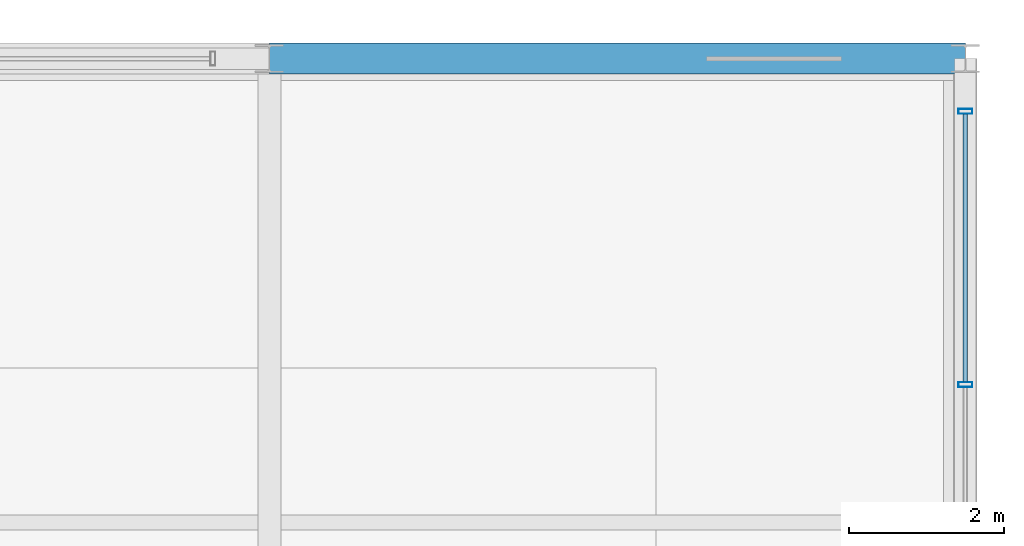
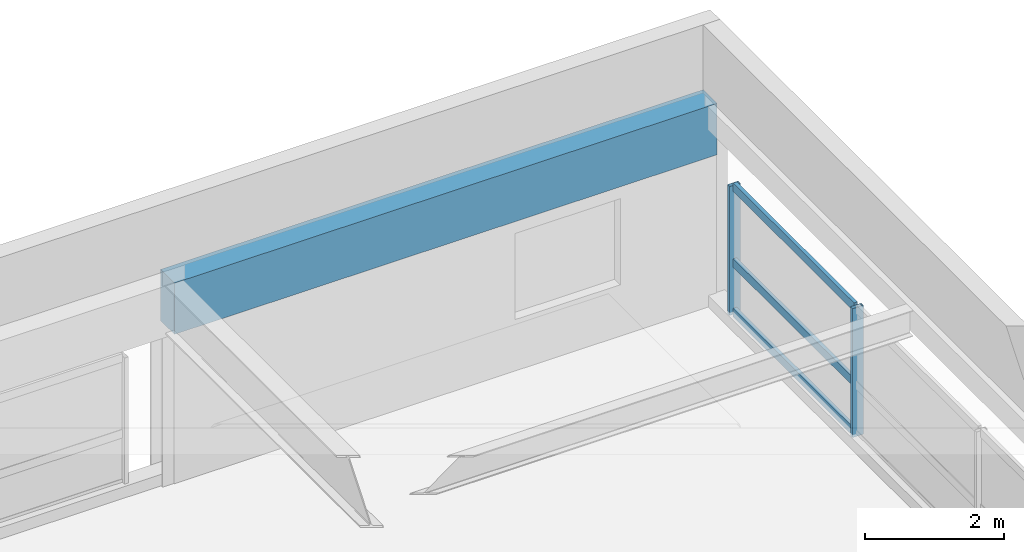
# One storey, part 84 of 108: 5 members, 1 beam, 1 element without a shape of its own.
"""IFC4 building model written with IfcOpenShell, lengths in metres."""

from ifc_helpers import new_model, si_unit, direction, frame, origin, origin_2d, place, context, subcontext, project, spatial, rectangle, hollow_rectangle, extrude, material, material_profile, profile_set, type_object, element, aggregate, save


model = new_model("IFC4")

# Units and contexts
model_context = context("Model", 3, precision=1e-05, world=origin(), true_north=direction((0.0, 1.0)))
body_context = subcontext(model_context, "Body", "Model", "MODEL_VIEW")
ifc_project = project(units=[si_unit("LENGTHUNIT", "METRE"), si_unit("AREAUNIT", "SQUARE_METRE"), si_unit("VOLUMEUNIT", "CUBIC_METRE"), si_unit("PLANEANGLEUNIT", "RADIAN"), si_unit("MASSUNIT", "GRAM", prefix="KILO")], contexts=[model_context])

# Site, building, storey
site_placement = place(None, origin())
site = spatial("IfcSite", under=ifc_project, at=site_placement, CompositionType="ELEMENT")
building_placement = place(site_placement, origin())
building = spatial("IfcBuilding", under=site, at=building_placement, Name="Kaldorvane Square Convention Centre", CompositionType="ELEMENT")
storey_placement = place(building_placement, frame((0.0, 0.0, 23.399993896484375)))
storey = spatial("IfcBuildingStorey", under=building, at=storey_placement, Name="L04", CompositionType="ELEMENT", Elevation=23.399993896484375)

# Beam
ifc_material_1 = material(Name="Concrete f'c = 42 MPa (Normalweight)", Category="concrete")
ifc_material_profile_1 = material_profile(ifc_material_1, rectangle(XDim=0.399993896484375, YDim=0.899993896484375, at=origin_2d()), Name="RCSP900X400")
ifc_profile_set_1 = profile_set([ifc_material_profile_1], Name="Concrete f'c = 42 MPa (Normalweight)")
beam_type = type_object("IfcBeamType", Name="BM-SP-RC900", PredefinedType="SPANDREL", material=ifc_profile_set_1)
beam_placement = place(storey_placement, frame((165.0, 117.0, 3.0760040283203125), z_axis=(1.0, 0.0, 0.0), x_axis=(0.0, 1.0, 0.0)))
element("IfcBeam", 1, at=beam_placement, inside=storey, type_object=beam_type, Name="Perimeter Spandrel (L04)", PredefinedType="SPANDREL", context=body_context, shape_type="SweptSolid", body=[
    extrude(rectangle(XDim=0.399993896484375, YDim=0.899993896484375, at=origin_2d()), origin(), (0.0, 0.0, 1.0), 9.0),
])

# Curtain wall, members
ifc_material_2 = material(Name="Anodized Aluminum and Low-E Insulated Glazing", Category="aluminium")
curtain_wall_type = type_object("IfcCurtainWallType", Name="CW-UNI-P42-09", PredefinedType="USERDEFINED", material=ifc_material_2)
curtain_wall_placement = place(storey_placement, origin())
curtain_wall = element("IfcCurtainWall", 2, at=curtain_wall_placement, inside=storey, type_object=curtain_wall_type, Name="Curtain Wall CW-06 (L04)", ObjectType="UNITISED GLAZING", PredefinedType="USERDEFINED")
ifc_material_profile_2 = material_profile(ifc_material_2, hollow_rectangle(XDim=0.06500244140625, YDim=0.17999267578125, WallThickness=0.0034942626953125, at=origin_2d()), Name="CWM-180X65")
ifc_profile_set_2 = profile_set([ifc_material_profile_2], Name="Anodized Aluminum and Low-E Insulated Glazing")
member_type_1 = type_object("IfcMemberType", Name="CW-MUL-180", PredefinedType="MULLION", material=ifc_profile_set_2)
member_1_placement = place(storey_placement, frame((174.0, 112.78334045410156, 0.1500091552734375), z_axis=(0.0, 0.0, 1.0), x_axis=(0.0, 1.0, 0.0)))
member_1 = element("IfcMember", 3, at=member_1_placement, type_object=member_type_1, Name="CW-06 mullion 3", PredefinedType="MULLION", context=body_context, shape_type="SweptSolid", body=[
    extrude(hollow_rectangle(XDim=0.06500244140625, YDim=0.17999267578125, WallThickness=0.0034942626953125, at=origin_2d()), origin(), (0.0, 0.0, 1.0), 2.2599945068359375),
])
member_2_placement = place(storey_placement, frame((174.0, 116.3175048828125, 0.1500091552734375), z_axis=(0.0, 0.0, 1.0), x_axis=(0.0, 1.0, 0.0)))
member_2 = element("IfcMember", 4, at=member_2_placement, type_object=member_type_1, Name="CW-06 mullion 4", PredefinedType="MULLION", context=body_context, shape_type="SweptSolid", body=[
    extrude(hollow_rectangle(XDim=0.06500244140625, YDim=0.17999267578125, WallThickness=0.0034942626953125, at=origin_2d()), origin(), (0.0, 0.0, 1.0), 2.2599945068359375),
])
ifc_material_profile_3 = material_profile(ifc_material_2, hollow_rectangle(XDim=0.05999755859375, YDim=0.149993896484375, WallThickness=0.003204345703125, at=origin_2d()), Name="CWT-150X60")
ifc_profile_set_3 = profile_set([ifc_material_profile_3], Name="Anodized Aluminum and Low-E Insulated Glazing")
member_type_2 = type_object("IfcMemberType", Name="CW-TRN-150", PredefinedType="USERDEFINED", material=ifc_profile_set_3)
member_3_placement = place(storey_placement, frame((174.0, 112.81582641601562, 0.1800079345703125), z_axis=(0.0, 1.0, 0.0), x_axis=(-1.0, 0.0, 0.0)))
member_3 = element("IfcMember", 5, at=member_3_placement, type_object=member_type_2, Name="CW-06 transom 3.1", ObjectType="TRANSOM", PredefinedType="USERDEFINED", context=body_context, shape_type="SweptSolid", body=[
    extrude(hollow_rectangle(XDim=0.05999755859375, YDim=0.149993896484375, WallThickness=0.003204345703125, at=origin_2d()), origin(), (0.0, 0.0, 1.0), 3.46917724609375),
])
member_4_placement = place(storey_placement, frame((174.0, 112.81582641601562, 1.0500030517578125), z_axis=(0.0, 1.0, 0.0), x_axis=(-1.0, 0.0, 0.0)))
member_4 = element("IfcMember", 6, at=member_4_placement, type_object=member_type_2, Name="CW-06 transom 3.2", ObjectType="TRANSOM", PredefinedType="USERDEFINED", context=body_context, shape_type="SweptSolid", body=[
    extrude(hollow_rectangle(XDim=0.05999755859375, YDim=0.149993896484375, WallThickness=0.003204345703125, at=origin_2d()), origin(), (0.0, 0.0, 1.0), 3.46917724609375),
])
member_5_placement = place(storey_placement, frame((174.0, 112.81582641601562, 2.3800048828125), z_axis=(0.0, 1.0, 0.0), x_axis=(-1.0, 0.0, 0.0)))
member_5 = element("IfcMember", 7, at=member_5_placement, type_object=member_type_2, Name="CW-06 transom 3.3", ObjectType="TRANSOM", PredefinedType="USERDEFINED", context=body_context, shape_type="SweptSolid", body=[
    extrude(hollow_rectangle(XDim=0.05999755859375, YDim=0.149993896484375, WallThickness=0.003204345703125, at=origin_2d()), origin(), (0.0, 0.0, 1.0), 3.46917724609375),
])
aggregate(curtain_wall, [member_1, member_2, member_3, member_4, member_5])

save(model, "model.ifc")
